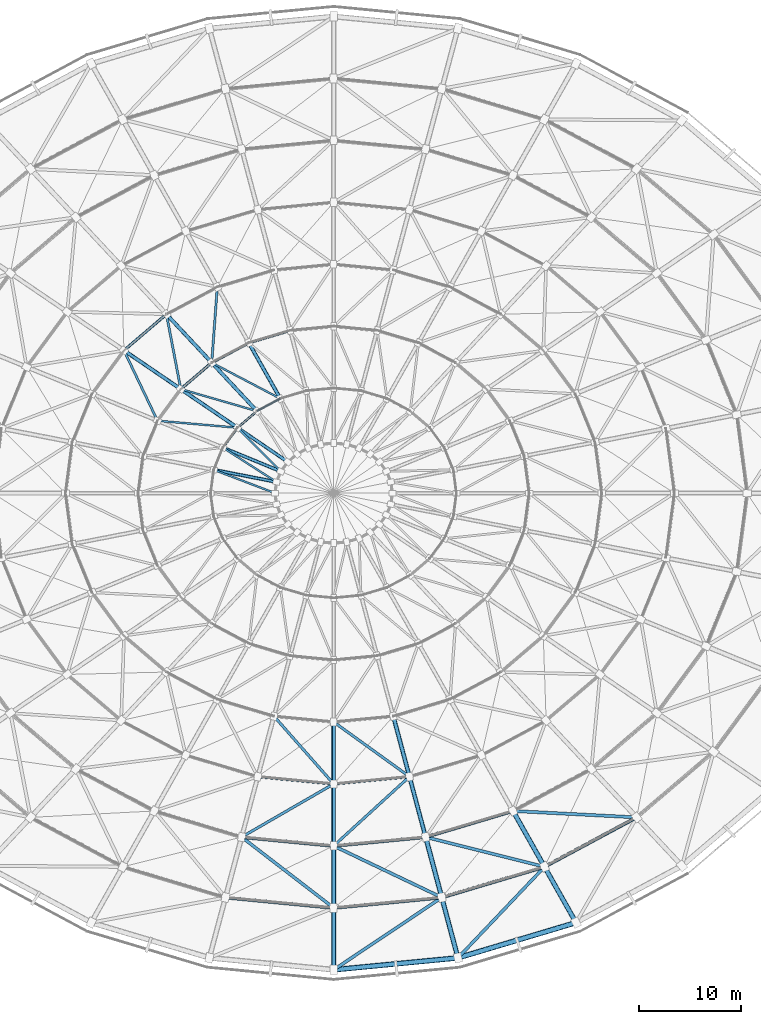
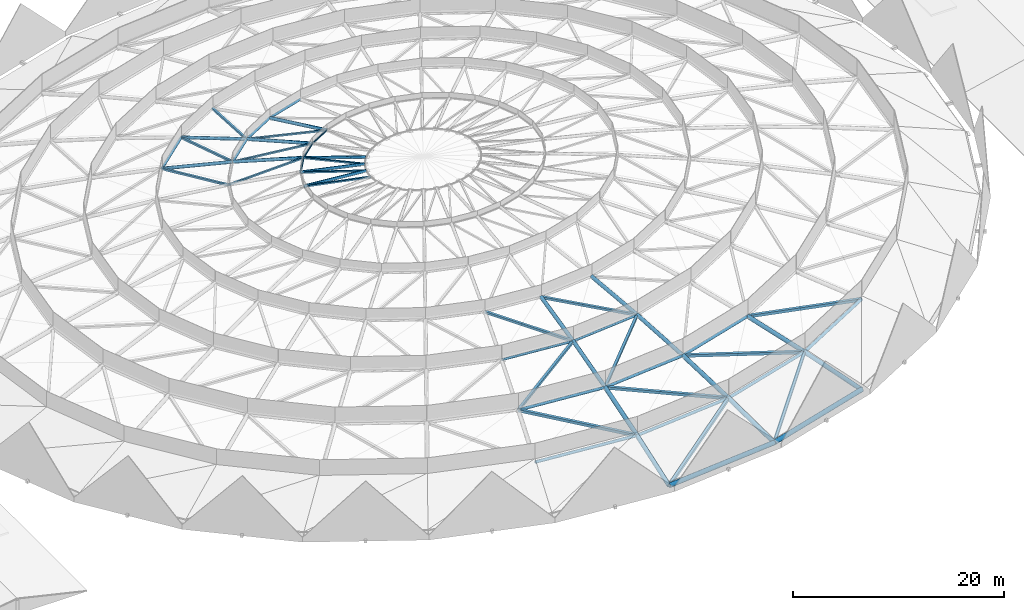
# One storey, part 8 of 27: 53 members, 2 beams.
"""IFC4 building model written with IfcOpenShell, lengths in metres."""

from ifc_helpers import new_model, si_unit, direction, frame, origin, origin_2d, place, context, subcontext, project, spatial, hollow_rectangle, hollow_circle, extrude, material, material_profile, profile_set, type_object, element, save


model = new_model("IFC4")

# Units and contexts
model_context = context("Model", 3, precision=1e-05, world=origin(), true_north=direction((0.0, 1.0)))
body_context = subcontext(model_context, "Body", "Model", "MODEL_VIEW")
ifc_project = project(units=[si_unit("LENGTHUNIT", "METRE"), si_unit("AREAUNIT", "SQUARE_METRE"), si_unit("VOLUMEUNIT", "CUBIC_METRE"), si_unit("PLANEANGLEUNIT", "RADIAN"), si_unit("MASSUNIT", "GRAM", prefix="KILO")], contexts=[model_context])

# Site, building, storey
site_placement = place(None, origin())
site = spatial("IfcSite", under=ifc_project, at=site_placement, CompositionType="ELEMENT")
building_placement = place(site_placement, origin())
building = spatial("IfcBuilding", under=site, at=building_placement, Name="Cuetzalor Civic Arena", CompositionType="ELEMENT")
storey_placement = place(building_placement, frame((0.0, 0.0, 31.800048828125)))
storey = spatial("IfcBuildingStorey", under=building, at=storey_placement, Name="Roof", CompositionType="ELEMENT", Elevation=31.800048828125)

# Members
ifc_material_1 = material(Name="Steel S355J2H", Category="steel")
ifc_material_profile_1 = material_profile(ifc_material_1, hollow_circle(Radius=0.136474609375, WallThickness=0.010009765625, at=origin_2d()), Name="CHS 273x10")
ifc_profile_set_1 = profile_set([ifc_material_profile_1], Name="Steel S355J2H")
member_type_1 = type_object("IfcMemberType", Name="DomeAnnularChord_CHS273", PredefinedType="CHORD", material=ifc_profile_set_1)
for number, where, z_axis, x_axis, name in (
    (1, (-7.402587890625, -27.683837890625, 5.66650390625), (0.995411254916, -0.09568925533, 0.0), (0.09568925533, 0.995411254916, 0.0), "Dome Roof Truss Annular Ring Chord R3-S21"),
    (2, (0.001953125, -28.395263671875, 5.66650390625), (0.995411254916, 0.09568925533, 0.0), (-0.09568925533, 0.995411254916, 0.0), "Dome Roof Truss Annular Ring Chord R3-S22"),
):
    element("IfcMember", number, at=place(storey_placement, frame(where, z_axis=z_axis, x_axis=x_axis)), inside=storey, type_object=member_type_1, Name=name, PredefinedType="CHORD", context=body_context, shape_type="SweptSolid", body=[
        extrude(hollow_circle(Radius=0.136474609375, WallThickness=0.010009765625, at=origin_2d()), origin(), (0.0, 0.0, 1.0), 7.434814453125),
    ])
member_1_placement = place(storey_placement, frame((-16.326904296875, 17.468017578125, 7.077392578125), z_axis=(-0.760688120929, -0.649117541495, 0.0), x_axis=(0.649117541495, -0.760688120929, 0.0)))
element("IfcMember", 3, at=member_1_placement, inside=storey, type_object=member_type_1, Name="Dome Roof Truss Annular Ring Chord R4-S11", PredefinedType="CHORD", context=body_context, shape_type="SweptSolid", body=[
    extrude(hollow_circle(Radius=0.136474609375, WallThickness=0.010009765625, at=origin_2d()), origin(), (0.0, 0.0, 1.0), 5.446533203125),
])
member_2_placement = place(storey_placement, frame((-4.25048828125, 15.88330078125, 8.21044921875), z_axis=(-0.958207143597, -0.286075287224, 0.0), x_axis=(0.286075287224, -0.958207143597, 0.0)))
element("IfcMember", 4, at=member_2_placement, inside=storey, type_object=member_type_1, Name="Dome Roof Truss Annular Ring Chord R5-S09", PredefinedType="CHORD", context=body_context, shape_type="SweptSolid", body=[
    extrude(hollow_circle(Radius=0.136474609375, WallThickness=0.010009765625, at=origin_2d()), origin(), (0.0, 0.0, 1.0), 4.207275390625),
])
member_3_placement = place(storey_placement, frame((-8.28564453125, 14.677978515625, 8.21044921875), z_axis=(-0.881319827537, -0.472520223472, 0.0), x_axis=(0.472520223472, -0.881319827537, 0.0)))
element("IfcMember", 5, at=member_3_placement, inside=storey, type_object=member_type_1, Name="Dome Roof Truss Annular Ring Chord R5-S10", PredefinedType="CHORD", context=body_context, shape_type="SweptSolid", body=[
    extrude(hollow_circle(Radius=0.136474609375, WallThickness=0.010009765625, at=origin_2d()), origin(), (0.0, 0.0, 1.0), 4.103515625),
])
member_4_placement = place(storey_placement, frame((-11.905517578125, 12.73681640625, 8.21044921875), z_axis=(-0.760648184235, -0.649164339609, 0.0), x_axis=(0.649164339609, -0.760648184235, 0.0)))
element("IfcMember", 6, at=member_4_placement, inside=storey, type_object=member_type_1, Name="Dome Roof Truss Annular Ring Chord R5-S11", PredefinedType="CHORD", context=body_context, shape_type="SweptSolid", body=[
    extrude(hollow_circle(Radius=0.136474609375, WallThickness=0.010009765625, at=origin_2d()), origin(), (0.0, 0.0, 1.0), 3.97021484375),
])
ifc_material_2 = material(Name="Steel S355J2H", Category="steel")
ifc_material_profile_2 = material_profile(ifc_material_2, hollow_circle(Radius=0.161865234375, WallThickness=0.012451171875, at=origin_2d()), Name="CHS 323.9x12.5")
ifc_profile_set_2 = profile_set([ifc_material_profile_2], Name="Steel S355J2H")
member_type_2 = type_object("IfcMemberType", Name="DomeAnnularChord_CHS323", PredefinedType="CHORD", material=ifc_profile_set_2)
for number, where, z_axis, x_axis, name in (
    (7, (-10.55859375, -39.4833984375, 2.11083984375), (0.995410547373, -0.095696615297, 0.0), (0.095696615297, 0.995410547373, 0.0), "Dome Roof Truss Annular Ring Chord R1-S21"),
    (8, (0.001953125, -40.498291015625, 2.11083984375), (0.995410547373, 0.095696615297, 0.0), (-0.095696615297, 0.995410547373, 0.0), "Dome Roof Truss Annular Ring Chord R1-S22"),
):
    element("IfcMember", number, at=place(storey_placement, frame(where, z_axis=z_axis, x_axis=x_axis)), inside=storey, type_object=member_type_2, Name=name, PredefinedType="CHORD", context=body_context, shape_type="SweptSolid", body=[
        extrude(hollow_circle(Radius=0.161865234375, WallThickness=0.012451171875, at=origin_2d()), origin(), (0.0, 0.0, 1.0), 10.605224609375),
    ])
member_5_placement = place(storey_placement, frame((10.5625, -39.482421875, 2.11083984375), z_axis=(0.958199827791, 0.286099790319, 0.0), x_axis=(-0.286099790319, 0.958199827791, 0.0)))
element("IfcMember", 9, at=member_5_placement, inside=storey, type_object=member_type_2, Name="Dome Roof Truss Annular Ring Chord R1-S23", PredefinedType="CHORD", context=body_context, shape_type="SweptSolid", body=[
    extrude(hollow_circle(Radius=0.161865234375, WallThickness=0.012451171875, at=origin_2d()), origin(), (0.0, 0.0, 1.0), 10.464599609375),
])
member_6_placement = place(storey_placement, frame((20.59326171875, -36.487060546875, 2.11083984375), z_axis=(0.881293921097, 0.472568539619, 0.0), x_axis=(-0.472568539619, 0.881293921097, 0.0)))
element("IfcMember", 10, at=member_6_placement, inside=storey, type_object=member_type_2, Name="Dome Roof Truss Annular Ring Chord R1-S24", PredefinedType="CHORD", context=body_context, shape_type="SweptSolid", body=[
    extrude(hollow_circle(Radius=0.161865234375, WallThickness=0.012451171875, at=origin_2d()), origin(), (0.0, 0.0, 1.0), 10.20654296875),
])
for number, where, z_axis, x_axis, name in (
    (11, (-8.98046875, -33.58349609375, 4.004638671875), (0.995409425821, -0.095708280664, 0.0), (0.095708280664, 0.995409425821, 0.0), "Dome Roof Truss Annular Ring Chord R2-S21"),
    (12, (0.001953125, -34.44677734375, 4.004638671875), (0.995409425821, 0.095708280664, 0.0), (-0.095708280664, 0.995409425821, 0.0), "Dome Roof Truss Annular Ring Chord R2-S22"),
):
    element("IfcMember", number, at=place(storey_placement, frame(where, z_axis=z_axis, x_axis=x_axis)), inside=storey, type_object=member_type_2, Name=name, PredefinedType="CHORD", context=body_context, shape_type="SweptSolid", body=[
        extrude(hollow_circle(Radius=0.161865234375, WallThickness=0.012451171875, at=origin_2d()), origin(), (0.0, 0.0, 1.0), 9.02001953125),
    ])
member_7_placement = place(storey_placement, frame((8.984375, -33.582763671875, 4.004638671875), z_axis=(0.958199935084, 0.286099430978, 0.0), x_axis=(-0.286099430978, 0.958199935084, 0.0)))
element("IfcMember", 13, at=member_7_placement, inside=storey, type_object=member_type_2, Name="Dome Roof Truss Annular Ring Chord R2-S23", PredefinedType="CHORD", context=body_context, shape_type="SweptSolid", body=[
    extrude(hollow_circle(Radius=0.161865234375, WallThickness=0.012451171875, at=origin_2d()), origin(), (0.0, 0.0, 1.0), 8.900390625),
])
member_8_placement = place(storey_placement, frame((-9.381103515625, 6.384033203125, 9.02099609375), z_axis=(0.825045545792, -0.561455083015, 0.063781165923), x_axis=(0.562600589235, 0.826728841273, 0.0)))
element("IfcMember", 14, at=member_8_placement, inside=storey, type_object=member_type_2, Name="Dome Roof Truss Radial Chord R7-S12", PredefinedType="CHORD", context=body_context, shape_type="SweptSolid", body=[
    extrude(hollow_circle(Radius=0.161865234375, WallThickness=0.012451171875, at=origin_2d()), origin(), (0.0, 0.0, 1.0), 5.940673828125),
])
member_9_placement = place(storey_placement, frame((-10.810791015625, 4.442626953125, 9.02099609375), z_axis=(0.923178215261, -0.379350591826, 0.061928275851), x_axis=(0.380080116735, 0.924953569031, 0.0)))
element("IfcMember", 15, at=member_9_placement, inside=storey, type_object=member_type_2, Name="Dome Roof Truss Radial Chord R7-S13", PredefinedType="CHORD", context=body_context, shape_type="SweptSolid", body=[
    extrude(hollow_circle(Radius=0.161865234375, WallThickness=0.012451171875, at=origin_2d()), origin(), (0.0, 0.0, 1.0), 6.118408203125),
])
member_10_placement = place(storey_placement, frame((-11.697998046875, 2.2783203125, 9.02099609375), z_axis=(0.979742221128, -0.190829394832, 0.060739790972), x_axis=(0.191182387422, 0.981554529682, 0.0)))
element("IfcMember", 16, at=member_10_placement, inside=storey, type_object=member_type_2, Name="Dome Roof Truss Radial Chord R7-S14", PredefinedType="CHORD", context=body_context, shape_type="SweptSolid", body=[
    extrude(hollow_circle(Radius=0.161865234375, WallThickness=0.012451171875, at=origin_2d()), origin(), (0.0, 0.0, 1.0), 6.23828125),
])
ifc_material_3 = material(Name="Steel S355J2H", Category="steel")
ifc_material_profile_3 = material_profile(ifc_material_3, hollow_rectangle(XDim=0.179931640625, YDim=0.179931640625, WallThickness=0.010009765625, at=origin_2d()), Name="RHS 180x180x10")
ifc_profile_set_3 = profile_set([ifc_material_profile_3], Name="Steel S355J2H")
member_type_3 = type_object("IfcMemberType", Name="DomeLamellaStrut_RHS180", PredefinedType="STRUT", material=ifc_profile_set_3)
member_11_placement = place(storey_placement, frame((-11.902099609375, 12.737060546875, 8.21044921875), z_axis=(0.880608544013, -0.461696352919, 0.106607081908), x_axis=(0.464342535607, 0.88565569474, 0.0)))
element("IfcMember", 17, at=member_11_placement, inside=storey, type_object=member_type_3, Name="Dome Roof Truss Lamella Strut R6-S11", PredefinedType="STRUT", context=body_context, shape_type="SweptSolid", body=[
    extrude(hollow_rectangle(XDim=0.179931640625, YDim=0.179931640625, WallThickness=0.010009765625, at=origin_2d()), origin(), (0.0, 0.0, 1.0), 7.600830078125),
])
member_12_placement = place(storey_placement, frame((-14.92529296875, 10.15771484375, 8.21044921875), z_axis=(0.955472441821, -0.276127084046, 0.104049249767), x_axis=(0.277634041083, 0.960686910097, 0.0)))
element("IfcMember", 18, at=member_12_placement, inside=storey, type_object=member_type_3, Name="Dome Roof Truss Lamella Strut R6-S12", PredefinedType="STRUT", context=body_context, shape_type="SweptSolid", body=[
    extrude(hollow_rectangle(XDim=0.179931640625, YDim=0.179931640625, WallThickness=0.010009765625, at=origin_2d()), origin(), (0.0, 0.0, 1.0), 7.78759765625),
])
member_13_placement = place(storey_placement, frame((-17.19970703125, 7.06884765625, 8.21044921875), z_axis=(0.990926571033, -0.086648031, 0.102745557303), x_axis=(0.087109040715, 0.996198782887, 0.0)))
element("IfcMember", 19, at=member_13_placement, inside=storey, type_object=member_type_3, Name="Dome Roof Truss Lamella Strut R6-S13", PredefinedType="STRUT", context=body_context, shape_type="SweptSolid", body=[
    extrude(hollow_rectangle(XDim=0.179931640625, YDim=0.179931640625, WallThickness=0.010009765625, at=origin_2d()), origin(), (0.0, 0.0, 1.0), 7.886474609375),
])
member_14_placement = place(storey_placement, frame((-9.38134765625, 6.3837890625, 9.02099609375), z_axis=(0.702176593417, -0.709205266139, 0.063054913671), x_axis=(0.710619356734, 0.703576669479, 0.0)))
element("IfcMember", 20, at=member_14_placement, inside=storey, type_object=member_type_3, Name="Dome Roof Truss Lamella Strut R7-S12", PredefinedType="STRUT", context=body_context, shape_type="SweptSolid", body=[
    extrude(hollow_rectangle(XDim=0.179931640625, YDim=0.179931640625, WallThickness=0.010009765625, at=origin_2d()), origin(), (0.0, 0.0, 1.0), 6.009033203125),
])
member_15_placement = place(storey_placement, frame((-10.810791015625, 4.4423828125, 9.02099609375), z_axis=(0.839998786918, -0.539158178483, 0.060913845309), x_axis=(0.540161243029, 0.841561543518, 0.0)))
element("IfcMember", 21, at=member_15_placement, inside=storey, type_object=member_type_3, Name="Dome Roof Truss Lamella Strut R7-S13", PredefinedType="STRUT", context=body_context, shape_type="SweptSolid", body=[
    extrude(hollow_rectangle(XDim=0.179931640625, YDim=0.179931640625, WallThickness=0.010009765625, at=origin_2d()), origin(), (0.0, 0.0, 1.0), 6.220458984375),
])
member_16_placement = place(storey_placement, frame((-11.6982421875, 2.278076171875, 9.02099609375), z_axis=(0.932664538454, -0.355853027434, 0.05920710748), x_axis=(0.356478390179, 0.934303568085, 0.0)))
element("IfcMember", 22, at=member_16_placement, inside=storey, type_object=member_type_3, Name="Dome Roof Truss Lamella Strut R7-S14", PredefinedType="STRUT", context=body_context, shape_type="SweptSolid", body=[
    extrude(hollow_rectangle(XDim=0.179931640625, YDim=0.179931640625, WallThickness=0.010009765625, at=origin_2d()), origin(), (0.0, 0.0, 1.0), 6.399658203125),
])
ifc_material_4 = material(Name="Steel S355J2H", Category="steel")
ifc_material_profile_4 = material_profile(ifc_material_4, hollow_rectangle(XDim=0.219970703125, YDim=0.219970703125, WallThickness=0.010009765625, at=origin_2d()), Name="RHS 220x220x10")
ifc_profile_set_4 = profile_set([ifc_material_profile_4], Name="Steel S355J2H")
member_type_4 = type_object("IfcMemberType", Name="DomeLamellaStrut_RHS220", PredefinedType="STRUT", material=ifc_profile_set_4)
member_17_placement = place(storey_placement, frame((-11.36083984375, 20.129150390625, 7.07763671875), z_axis=(-0.072443074529, -0.985864250756, 0.151075080784), x_axis=(0.997311097231, -0.073284209352, 0.0)))
element("IfcMember", 23, at=member_17_placement, inside=storey, type_object=member_type_4, Name="Dome Roof Truss Lamella Strut R5-S10", PredefinedType="STRUT", context=body_context, shape_type="SweptSolid", body=[
    extrude(hollow_rectangle(XDim=0.219970703125, YDim=0.219970703125, WallThickness=0.010009765625, at=origin_2d()), origin(), (0.0, 0.0, 1.0), 7.4951171875),
])
member_18_placement = place(storey_placement, frame((-16.3251953125, 17.46728515625, 7.07763671875), z_axis=(0.185734576079, -0.971010630926, 0.150469338665), x_axis=(0.982193218693, 0.187873577582, 0.0)))
element("IfcMember", 24, at=member_18_placement, inside=storey, type_object=member_type_4, Name="Dome Roof Truss Lamella Strut R5-S11", PredefinedType="STRUT", context=body_context, shape_type="SweptSolid", body=[
    extrude(hollow_rectangle(XDim=0.219970703125, YDim=0.219970703125, WallThickness=0.010009765625, at=origin_2d()), origin(), (0.0, 0.0, 1.0), 7.525390625),
])
member_19_placement = place(storey_placement, frame((-20.470703125, 13.929443359375, 7.07763671875), z_axis=(0.425453768742, -0.892893524972, 0.147411816781), x_axis=(0.902755950894, 0.430153104285, 0.0)))
element("IfcMember", 25, at=member_19_placement, inside=storey, type_object=member_type_4, Name="Dome Roof Truss Lamella Strut R5-S12", PredefinedType="STRUT", context=body_context, shape_type="SweptSolid", body=[
    extrude(hollow_rectangle(XDim=0.219970703125, YDim=0.219970703125, WallThickness=0.010009765625, at=origin_2d()), origin(), (0.0, 0.0, 1.0), 7.681396484375),
])
ifc_material_5 = material(Name="Steel S355J2H", Category="steel")
ifc_material_profile_5 = material_profile(ifc_material_5, hollow_rectangle(XDim=0.260009765625, YDim=0.260009765625, WallThickness=0.012451171875, at=origin_2d()), Name="RHS 260x260x12.5")
ifc_profile_set_5 = profile_set([ifc_material_profile_5], Name="Steel S355J2H")
member_type_5 = type_object("IfcMemberType", Name="DomeLamellaStrut_RHS260", PredefinedType="STRUT", material=ifc_profile_set_5)
member_20_placement = place(storey_placement, frame((-8.980712890625, -33.582275390625, 4.0048828125), z_axis=(0.855045852603, 0.493828619151, 0.158208358991), x_axis=(-0.500127348, 0.865951866897, 0.0)))
element("IfcMember", 26, at=member_20_placement, inside=storey, type_object=member_type_5, Name="Dome Roof Truss Lamella Strut R3-S21", PredefinedType="STRUT", context=body_context, shape_type="SweptSolid", body=[
    extrude(hollow_rectangle(XDim=0.260009765625, YDim=0.260009765625, WallThickness=0.012451171875, at=origin_2d()), origin(), (0.0, 0.0, 1.0), 10.501220703125),
])
member_21_placement = place(storey_placement, frame((0.00146484375, -34.44580078125, 4.0048828125), z_axis=(0.728401472183, 0.6653567955, 0.163498103975), x_axis=(-0.674432192279, 0.738336791727, 0.0)))
element("IfcMember", 27, at=member_21_placement, inside=storey, type_object=member_type_5, Name="Dome Roof Truss Lamella Strut R3-S22", PredefinedType="STRUT", context=body_context, shape_type="SweptSolid", body=[
    extrude(hollow_rectangle(XDim=0.260009765625, YDim=0.260009765625, WallThickness=0.012451171875, at=origin_2d()), origin(), (0.0, 0.0, 1.0), 10.161376953125),
])
member_22_placement = place(storey_placement, frame((-0.001220703125, -28.39404296875, 5.666748046875), z_axis=(-0.652847683617, 0.740806285803, 0.15810107182), x_axis=(-0.750242130403, -0.661163176355, 0.0)))
element("IfcMember", 28, at=member_22_placement, inside=storey, type_object=member_type_5, Name="Dome Roof Truss Lamella Strut R4-S22", PredefinedType="STRUT", context=body_context, shape_type="SweptSolid", body=[
    extrude(hollow_rectangle(XDim=0.260009765625, YDim=0.260009765625, WallThickness=0.012451171875, at=origin_2d()), origin(), (0.0, 0.0, 1.0), 8.9208984375),
])
member_23_placement = place(storey_placement, frame((7.40283203125, -27.682373046875, 5.666748046875), z_axis=(-0.801581351977, 0.578042880936, 0.152753932719), x_axis=(-0.584907203216, -0.811100217991, 0.0)))
element("IfcMember", 29, at=member_23_placement, inside=storey, type_object=member_type_5, Name="Dome Roof Truss Lamella Strut R4-S23", PredefinedType="STRUT", context=body_context, shape_type="SweptSolid", body=[
    extrude(hollow_rectangle(XDim=0.260009765625, YDim=0.260009765625, WallThickness=0.012451171875, at=origin_2d()), origin(), (0.0, 0.0, 1.0), 9.233154296875),
])
ifc_material_6 = material(Name="Steel S355J2H", Category="steel")
ifc_material_profile_6 = material_profile(ifc_material_6, hollow_rectangle(XDim=0.300048828125, YDim=0.300048828125, WallThickness=0.013916015625, at=origin_2d()), Name="RHS 300x300x14")
ifc_profile_set_6 = profile_set([ifc_material_profile_6], Name="Steel S355J2H")
member_type_6 = type_object("IfcMemberType", Name="DomeLamellaStrut_RHS300", PredefinedType="STRUT", material=ifc_profile_set_6)
member_24_placement = place(storey_placement, frame((0.001708984375, -46.548828125, 0.000244140625), z_axis=(0.819845373045, 0.548630164187, 0.163885652944), x_axis=(-0.556149673561, 0.831082150331, 0.0)))
element("IfcMember", 30, at=member_24_placement, inside=storey, type_object=member_type_6, Name="Dome Roof Truss Lamella Strut R1-S22", PredefinedType="STRUT", context=body_context, shape_type="SweptSolid", body=[
    extrude(hollow_rectangle(XDim=0.300048828125, YDim=0.300048828125, WallThickness=0.013916015625, at=origin_2d()), origin(), (0.0, 0.0, 1.0), 12.876953125),
])
member_25_placement = place(storey_placement, frame((12.139892578125, -45.381591796875, 0.000244140625), z_axis=(0.678882788729, 0.714403900782, 0.169544170397), x_axis=(-0.724898554778, 0.688855634571, 0.0)))
element("IfcMember", 31, at=member_25_placement, inside=storey, type_object=member_type_6, Name="Dome Roof Truss Lamella Strut R1-S23", PredefinedType="STRUT", context=body_context, shape_type="SweptSolid", body=[
    extrude(hollow_rectangle(XDim=0.300048828125, YDim=0.300048828125, WallThickness=0.013916015625, at=origin_2d()), origin(), (0.0, 0.0, 1.0), 12.447265625),
])
member_26_placement = place(storey_placement, frame((-0.001708984375, -40.497314453125, 2.111328125), z_axis=(-0.781549213243, 0.601690257293, 0.16477154353), x_axis=(-0.61002827083, -0.792379649403, 0.0)))
element("IfcMember", 32, at=member_26_placement, inside=storey, type_object=member_type_6, Name="Dome Roof Truss Lamella Strut R2-S22", PredefinedType="STRUT", context=body_context, shape_type="SweptSolid", body=[
    extrude(hollow_rectangle(XDim=0.300048828125, YDim=0.300048828125, WallThickness=0.013916015625, at=origin_2d()), origin(), (0.0, 0.0, 1.0), 11.489013671875),
])
member_27_placement = place(storey_placement, frame((10.55859375, -39.482421875, 2.111328125), z_axis=(-0.89101310831, 0.424931715723, 0.159776962647), x_axis=(-0.430461798092, -0.902608796979, 0.0)))
element("IfcMember", 33, at=member_27_placement, inside=storey, type_object=member_type_6, Name="Dome Roof Truss Lamella Strut R2-S23", PredefinedType="STRUT", context=body_context, shape_type="SweptSolid", body=[
    extrude(hollow_rectangle(XDim=0.300048828125, YDim=0.300048828125, WallThickness=0.013916015625, at=origin_2d()), origin(), (0.0, 0.0, 1.0), 11.84814453125),
])
member_28_placement = place(storey_placement, frame((20.589599609375, -36.4873046875, 2.111328125), z_axis=(-0.958175295052, 0.239730278407, 0.156299384408), x_axis=(-0.24271329131, -0.970098066291, 0.0)))
element("IfcMember", 34, at=member_28_placement, inside=storey, type_object=member_type_6, Name="Dome Roof Truss Lamella Strut R2-S24", PredefinedType="STRUT", context=body_context, shape_type="SweptSolid", body=[
    extrude(hollow_rectangle(XDim=0.300048828125, YDim=0.300048828125, WallThickness=0.013916015625, at=origin_2d()), origin(), (0.0, 0.0, 1.0), 12.11181640625),
])
member_29_placement = place(storey_placement, frame((29.587890625, -31.662841796875, 2.111328125), z_axis=(-0.986627481073, 0.051243009696, 0.154726751239), x_axis=(-0.051867635922, -0.998653968271, 0.0)))
element("IfcMember", 35, at=member_29_placement, inside=storey, type_object=member_type_6, Name="Dome Roof Truss Lamella Strut R2-S25", PredefinedType="STRUT", context=body_context, shape_type="SweptSolid", body=[
    extrude(hollow_rectangle(XDim=0.300048828125, YDim=0.300048828125, WallThickness=0.013916015625, at=origin_2d()), origin(), (0.0, 0.0, 1.0), 12.23486328125),
])
ifc_material_7 = material(Name="Steel S355J2H", Category="steel")
ifc_material_profile_7 = material_profile(ifc_material_7, hollow_circle(Radius=0.109619140625, WallThickness=0.010009765625, at=origin_2d()), Name="CHS 219.1x10")
ifc_profile_set_7 = profile_set([ifc_material_profile_7], Name="Steel S355J2H")
member_type_7 = type_object("IfcMemberType", Name="DomeLanternRing_CHS219", PredefinedType="CHORD", material=ifc_profile_set_7)
member_30_placement = place(storey_placement, frame((-5.208740234375, 9.225830078125, 9.020751953125), z_axis=(-0.881296882104, -0.472563017591, 0.0), x_axis=(0.472563017591, -0.881296882104, 0.0)))
element("IfcMember", 36, at=member_30_placement, inside=storey, type_object=member_type_7, Name="Dome Roof Truss Annular Ring Chord R6-S10", PredefinedType="CHORD", context=body_context, shape_type="SweptSolid", body=[
    extrude(hollow_circle(Radius=0.109619140625, WallThickness=0.010009765625, at=origin_2d()), origin(), (0.0, 0.0, 1.0), 2.577880859375),
])
member_31_placement = place(storey_placement, frame((-7.48388671875, 8.00537109375, 9.020751953125), z_axis=(-0.760740130063, -0.649056588066, 0.0), x_axis=(0.649056588066, -0.760740130063, 0.0)))
element("IfcMember", 37, at=member_31_placement, inside=storey, type_object=member_type_7, Name="Dome Roof Truss Annular Ring Chord R6-S11", PredefinedType="CHORD", context=body_context, shape_type="SweptSolid", body=[
    extrude(hollow_circle(Radius=0.109619140625, WallThickness=0.010009765625, at=origin_2d()), origin(), (0.0, 0.0, 1.0), 2.494140625),
])
member_32_placement = place(storey_placement, frame((-9.384033203125, 6.383544921875, 9.020751953125), z_axis=(-0.592901474518, -0.805275009866, 0.0), x_axis=(0.805275009866, -0.592901474518, 0.0)))
element("IfcMember", 38, at=member_32_placement, inside=storey, type_object=member_type_7, Name="Dome Roof Truss Annular Ring Chord R6-S12", PredefinedType="CHORD", context=body_context, shape_type="SweptSolid", body=[
    extrude(hollow_circle(Radius=0.109619140625, WallThickness=0.010009765625, at=origin_2d()), origin(), (0.0, 0.0, 1.0), 2.4072265625),
])
ifc_material_8 = material(Name="Steel S355J2H", Category="steel")
ifc_material_profile_8 = material_profile(ifc_material_8, hollow_circle(Radius=0.177734375, WallThickness=0.01416015625, at=origin_2d()), Name="CHS 355.6x14.2")
ifc_profile_set_8 = profile_set([ifc_material_profile_8], Name="Steel S355J2H")
member_type_8 = type_object("IfcMemberType", Name="DomeRadialChord_CHS355", PredefinedType="CHORD", material=ifc_profile_set_8)
member_33_placement = place(storey_placement, frame((-16.32421875, 17.4677734375, 7.07763671875), z_axis=(0.672587505085, -0.719668630441, 0.172345903237), x_axis=(0.730600984463, 0.682804658377, 0.0)))
element("IfcMember", 39, at=member_33_placement, inside=storey, type_object=member_type_8, Name="Dome Roof Truss Radial Chord R5-S11", PredefinedType="CHORD", context=body_context, shape_type="SweptSolid", body=[
    extrude(hollow_circle(Radius=0.177734375, WallThickness=0.01416015625, at=origin_2d()), origin(), (0.0, 0.0, 1.0), 6.570068359375),
])
member_34_placement = place(storey_placement, frame((-20.469970703125, 13.93017578125, 7.07763671875), z_axis=(0.815172115718, -0.554749460254, 0.166575682808), x_axis=(0.562609867277, 0.826722527359, 0.0)))
element("IfcMember", 40, at=member_34_placement, inside=storey, type_object=member_type_8, Name="Dome Roof Truss Radial Chord R5-S12", PredefinedType="CHORD", context=body_context, shape_type="SweptSolid", body=[
    extrude(hollow_circle(Radius=0.177734375, WallThickness=0.01416015625, at=origin_2d()), origin(), (0.0, 0.0, 1.0), 6.797607421875),
])
member_35_placement = place(storey_placement, frame((-8.282958984375, 14.67724609375, 8.210693359375), z_axis=(0.487413827031, -0.863684143841, 0.128364562466), x_axis=(0.870888965852, 0.491479815615, 0.0)))
element("IfcMember", 41, at=member_35_placement, inside=storey, type_object=member_type_8, Name="Dome Roof Truss Radial Chord R6-S10", PredefinedType="CHORD", context=body_context, shape_type="SweptSolid", body=[
    extrude(hollow_circle(Radius=0.177734375, WallThickness=0.01416015625, at=origin_2d()), origin(), (0.0, 0.0, 1.0), 6.30859375),
])
member_36_placement = place(storey_placement, frame((-11.902587890625, 12.736572265625, 8.21044921875), z_axis=(0.677476129415, -0.724976942069, 0.124235773995), x_axis=(0.730637390049, 0.682765702318, 0.0)))
element("IfcMember", 42, at=member_36_placement, inside=storey, type_object=member_type_8, Name="Dome Roof Truss Radial Chord R6-S11", PredefinedType="CHORD", context=body_context, shape_type="SweptSolid", body=[
    extrude(hollow_circle(Radius=0.177734375, WallThickness=0.01416015625, at=origin_2d()), origin(), (0.0, 0.0, 1.0), 6.522216796875),
])
member_37_placement = place(storey_placement, frame((-14.925537109375, 10.156982421875, 8.21044921875), z_axis=(0.820751474206, -0.558534830768, 0.120024415883), x_axis=(0.562601913678, 0.826727939969, 0.0)))
element("IfcMember", 43, at=member_37_placement, inside=storey, type_object=member_type_8, Name="Dome Roof Truss Radial Chord R6-S12", PredefinedType="CHORD", context=body_context, shape_type="SweptSolid", body=[
    extrude(hollow_circle(Radius=0.177734375, WallThickness=0.01416015625, at=origin_2d()), origin(), (0.0, 0.0, 1.0), 6.751220703125),
])
ifc_material_9 = material(Name="Steel S355J2H", Category="steel")
ifc_material_profile_9 = material_profile(ifc_material_9, hollow_circle(Radius=0.202880859375, WallThickness=0.01611328125, at=origin_2d()), Name="CHS 406x16")
ifc_profile_set_9 = profile_set([ifc_material_profile_9], Name="Steel S355J2H")
member_type_9 = type_object("IfcMemberType", Name="DomeRadialChord_CHS406", PredefinedType="CHORD", material=ifc_profile_set_9)
member_38_placement = place(storey_placement, frame((0.0, -34.445068359375, 4.005126953125), z_axis=(0.0, 0.964295160048, 0.264829840289), x_axis=(-1.0, 0.0, 0.0)))
element("IfcMember", 44, at=member_38_placement, inside=storey, type_object=member_type_9, Name="Dome Roof Truss Radial Chord R3-S22", PredefinedType="CHORD", context=body_context, shape_type="SweptSolid", body=[
    extrude(hollow_circle(Radius=0.202880859375, WallThickness=0.01611328125, at=origin_2d()), origin(), (0.0, 0.0, 1.0), 6.271484375),
])
member_39_placement = place(storey_placement, frame((8.98193359375, -33.581298828125, 4.005126953125), z_axis=(-0.249314663457, 0.932141168575, 0.262592917712), x_axis=(-0.966042788004, -0.258382142852, 0.0)))
element("IfcMember", 45, at=member_39_placement, inside=storey, type_object=member_type_9, Name="Dome Roof Truss Radial Chord R3-S23", PredefinedType="CHORD", context=body_context, shape_type="SweptSolid", body=[
    extrude(hollow_circle(Radius=0.202880859375, WallThickness=0.01611328125, at=origin_2d()), origin(), (0.0, 0.0, 1.0), 6.324951171875),
])
member_40_placement = place(storey_placement, frame((0.0, -28.3935546875, 5.6669921875), z_axis=(0.0, 0.973883822353, 0.227046912684), x_axis=(-1.0, 0.0, 0.0)))
element("IfcMember", 46, at=member_40_placement, inside=storey, type_object=member_type_9, Name="Dome Roof Truss Radial Chord R4-S22", PredefinedType="CHORD", context=body_context, shape_type="SweptSolid", body=[
    extrude(hollow_circle(Radius=0.202880859375, WallThickness=0.01611328125, at=origin_2d()), origin(), (0.0, 0.0, 1.0), 6.209716796875),
])
member_41_placement = place(storey_placement, frame((7.404052734375, -27.681640625, 5.6669921875), z_axis=(-0.251778726103, 0.941247095263, 0.225080827128), x_axis=(-0.966035473474, -0.258409488971, 0.0)))
element("IfcMember", 47, at=member_41_placement, inside=storey, type_object=member_type_9, Name="Dome Roof Truss Radial Chord R4-S23", PredefinedType="CHORD", context=body_context, shape_type="SweptSolid", body=[
    extrude(hollow_circle(Radius=0.202880859375, WallThickness=0.01611328125, at=origin_2d()), origin(), (0.0, 0.0, 1.0), 6.263916015625),
])
ifc_material_10 = material(Name="Steel S355J2H", Category="steel")
ifc_material_profile_10 = material_profile(ifc_material_10, hollow_circle(Radius=0.228515625, WallThickness=0.01611328125, at=origin_2d()), Name="CHS 457x16")
ifc_profile_set_10 = profile_set([ifc_material_profile_10], Name="Steel S355J2H")
member_type_10 = type_object("IfcMemberType", Name="DomeRadialChord_CHS457", PredefinedType="CHORD", material=ifc_profile_set_10)
member_42_placement = place(storey_placement, frame((0.0, -46.548095703125, 0.000732421875), z_axis=(0.0, 0.944200732802, 0.32937057576), x_axis=(-1.0, 0.0, 0.0)))
element("IfcMember", 48, at=member_42_placement, inside=storey, type_object=member_type_10, Name="Dome Roof Truss Radial Chord R1-S22", PredefinedType="CHORD", context=body_context, shape_type="SweptSolid", body=[
    extrude(hollow_circle(Radius=0.228515625, WallThickness=0.01611328125, at=origin_2d()), origin(), (0.0, 0.0, 1.0), 6.405029296875),
])
member_43_placement = place(storey_placement, frame((12.137939453125, -45.381103515625, 0.000732421875), z_axis=(-0.244187197443, 0.913046138016, 0.326679296037), x_axis=(-0.96604812875, -0.258362173972, 0.0)))
element("IfcMember", 49, at=member_43_placement, inside=storey, type_object=member_type_10, Name="Dome Roof Truss Radial Chord R1-S23", PredefinedType="CHORD", context=body_context, shape_type="SweptSolid", body=[
    extrude(hollow_circle(Radius=0.228515625, WallThickness=0.01611328125, at=origin_2d()), origin(), (0.0, 0.0, 1.0), 6.457763671875),
])
member_44_placement = place(storey_placement, frame((23.66748046875, -41.9384765625, 0.00048828125), z_axis=(-0.465726644765, 0.825226499247, 0.319530776759), x_axis=(-0.870881689669, -0.491492708592, 0.0)))
element("IfcMember", 50, at=member_44_placement, inside=storey, type_object=member_type_10, Name="Dome Roof Truss Radial Chord R1-S24", PredefinedType="CHORD", context=body_context, shape_type="SweptSolid", body=[
    extrude(hollow_circle(Radius=0.228515625, WallThickness=0.01611328125, at=origin_2d()), origin(), (0.0, 0.0, 1.0), 6.60302734375),
])
member_45_placement = place(storey_placement, frame((0.0, -40.49658203125, 2.111572265625), z_axis=(0.0, 0.954358558778, 0.298663257343), x_axis=(-1.0, 0.0, 0.0)))
element("IfcMember", 51, at=member_45_placement, inside=storey, type_object=member_type_10, Name="Dome Roof Truss Radial Chord R2-S22", PredefinedType="CHORD", context=body_context, shape_type="SweptSolid", body=[
    extrude(hollow_circle(Radius=0.228515625, WallThickness=0.01611328125, at=origin_2d()), origin(), (0.0, 0.0, 1.0), 6.3369140625),
])
member_46_placement = place(storey_placement, frame((10.56005859375, -39.481201171875, 2.111572265625), z_axis=(-0.246815336475, 0.922692008647, 0.29617840377), x_axis=(-0.966035473474, -0.258409488971, 0.0)))
element("IfcMember", 52, at=member_46_placement, inside=storey, type_object=member_type_10, Name="Dome Roof Truss Radial Chord R2-S23", PredefinedType="CHORD", context=body_context, shape_type="SweptSolid", body=[
    extrude(hollow_circle(Radius=0.228515625, WallThickness=0.01611328125, at=origin_2d()), origin(), (0.0, 0.0, 1.0), 6.389892578125),
])
member_47_placement = place(storey_placement, frame((20.590576171875, -36.486083984375, 2.111572265625), z_axis=(-0.47045681721, 0.833570597531, 0.289534871945), x_axis=(-0.870872263381, -0.491509410769, 0.0)))
element("IfcMember", 53, at=member_47_placement, inside=storey, type_object=member_type_10, Name="Dome Roof Truss Radial Chord R2-S24", PredefinedType="CHORD", context=body_context, shape_type="SweptSolid", body=[
    extrude(hollow_circle(Radius=0.228515625, WallThickness=0.01611328125, at=origin_2d()), origin(), (0.0, 0.0, 1.0), 6.53662109375),
])

# Beams
ifc_material_11 = material(Name="Steel S355J2H", Category="steel")
ifc_material_profile_11 = material_profile(ifc_material_11, hollow_circle(Radius=0.25390625, WallThickness=0.02001953125, at=origin_2d()), Name="CHS 508x20")
ifc_profile_set_11 = profile_set([ifc_material_profile_11], Name="Steel S355J2H")
beam_type = type_object("IfcBeamType", Name="SteelDomeRingBeam_CHS508", PredefinedType="BEAM", material=ifc_profile_set_11)
beam_1_placement = place(storey_placement, frame((0.001953125, -46.5498046875, 0.0), z_axis=(0.995409285949, 0.095709735379, 0.0), x_axis=(-0.095709735379, 0.995409285949, 0.0)))
element("IfcBeam", 54, at=beam_1_placement, inside=storey, type_object=beam_type, Name="Arena Dome Perimeter Tension Ring Beam S22", PredefinedType="BEAM", context=body_context, shape_type="SweptSolid", body=[
    extrude(hollow_circle(Radius=0.25390625, WallThickness=0.02001953125, at=origin_2d()), origin(), (0.0, 0.0, 1.0), 12.1904296875),
])
beam_2_placement = place(storey_placement, frame((12.140380859375, -45.38232421875, 0.0), z_axis=(0.958195845635, 0.286113126939, 0.0), x_axis=(-0.286113126939, 0.958195845635, 0.0)))
element("IfcBeam", 55, at=beam_2_placement, inside=storey, type_object=beam_type, Name="Arena Dome Perimeter Tension Ring Beam S23", PredefinedType="BEAM", context=body_context, shape_type="SweptSolid", body=[
    extrude(hollow_circle(Radius=0.25390625, WallThickness=0.02001953125, at=origin_2d()), origin(), (0.0, 0.0, 1.0), 12.029052734375),
])

save(model, "model.ifc")
